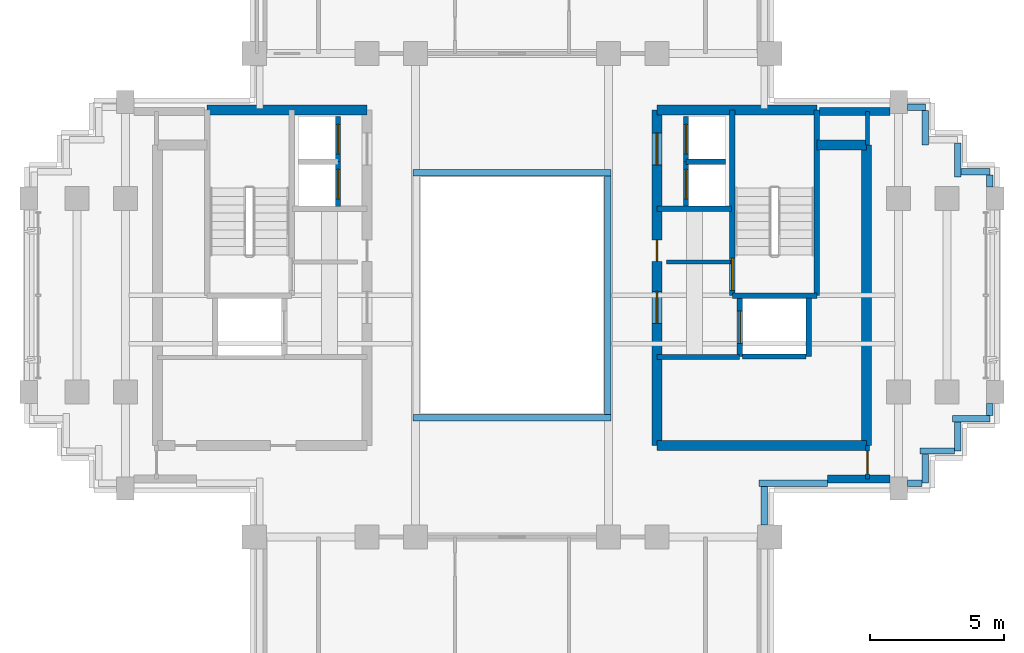
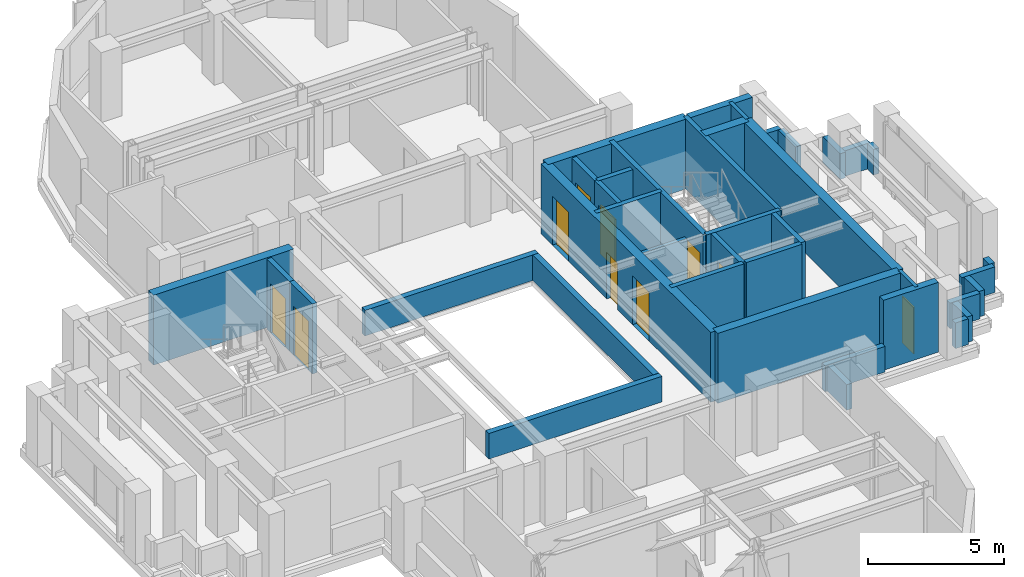
# One storey, part 7 of 11: 40 walls, 10 doors, 10 openings.
"""IFC4 building model written with IfcOpenShell, lengths in metres."""

import ifcopenshell
import ifcopenshell.guid

model = None  # the IFC model being written
_history = None  # IfcOwnerHistory: only IFC2X3 demands one
_inside = {}  # id of a spatial element -> (the spatial element, [elements in it])
_under = {}  # id of a project, library or spatial element -> (it, [spatial elements below it])
_declared = {}  # id of a project -> (the project, [libraries it declares])
_typed = {}  # id of a type object -> (the type object, [elements of that type])
_made_of = {}  # id of a material, layer set ... -> (it, [elements and type objects made of it])


def new_model(schema):
    """Start an empty IFC model of exactly this schema.

    Asked for "IFC4X3", IfcOpenShell would pick the latest addendum, in which some entities
    have other attributes; the version numbers below select the first issue.
    IFC2X3 requires an IfcOwnerHistory on every rooted entity: one is made here for all.
    """
    global model, _history
    if schema == "IFC4X3":
        model = ifcopenshell.file(schema_version=(4, 3, 0, 0))
    else:
        model = ifcopenshell.file(schema=schema)
    _inside.clear()
    _under.clear()
    _declared.clear()
    _typed.clear()
    _made_of.clear()
    _history = None
    if model.schema == "IFC2X3":
        org = make("IfcOrganization", Name="unknown")
        user = make(
            "IfcPersonAndOrganization",
            ThePerson=make("IfcPerson", FamilyName="unknown"),
            TheOrganization=org,
        )
        app = make(
            "IfcApplication",
            ApplicationDeveloper=org,
            Version="unknown",
            ApplicationFullName="unknown",
            ApplicationIdentifier="unknown",
        )
        _history = make(
            "IfcOwnerHistory",
            OwningUser=user,
            OwningApplication=app,
            ChangeAction="ADDED",
            CreationDate=0,
        )
    return model


def make(cls, **values):
    """One entity of the class cls with the attributes given. An attribute that is None is left unset."""
    return model.create_entity(
        cls, **{name: value for name, value in values.items() if value is not None}
    )


def rooted(cls, **values):
    """An entity with a GlobalId (a new one), such as an element, a storey or a relation."""
    return make(cls, GlobalId=ifcopenshell.guid.new(), OwnerHistory=_history, **values)


def si_unit(unit_type, name, prefix=None):
    """IfcSIUnit, for example si_unit("LENGTHUNIT", "METRE", prefix="MILLI")."""
    return make("IfcSIUnit", UnitType=unit_type, Prefix=prefix, Name=name)


def assignment(units):
    """IfcUnitAssignment: the units of a project."""
    return None if units is None else make("IfcUnitAssignment", Units=units)


def point(xyz):
    """IfcCartesianPoint."""
    return None if xyz is None else make("IfcCartesianPoint", Coordinates=xyz)


def direction(xyz):
    """IfcDirection."""
    return None if xyz is None else make("IfcDirection", DirectionRatios=xyz)


def frame(location, z_axis=None, x_axis=None):
    """IfcAxis2Placement3D, a coordinate frame: its origin and axes. An axis left out is left unset."""
    return make(
        "IfcAxis2Placement3D",
        Location=point(location),
        Axis=direction(z_axis),
        RefDirection=direction(x_axis),
    )


def frame_2d(location, x_axis=None):
    """IfcAxis2Placement2D, a coordinate frame in the plane: its origin and x axis."""
    return make(
        "IfcAxis2Placement2D", Location=point(location), RefDirection=direction(x_axis)
    )


def origin():
    """The frame at (0, 0, 0) with its axes left unset."""
    return frame((0.0, 0.0, 0.0))


def place(relative_to, where):
    """IfcLocalPlacement: puts the frame where relative to a parent placement (None: the world)."""
    return make(
        "IfcLocalPlacement", PlacementRelTo=relative_to, RelativePlacement=where
    )


def context(
    kind, dimensions, precision=None, world=None, true_north=None, identifier=None
):
    """IfcGeometricRepresentationContext, for example the 3D "Model" context."""
    return make(
        "IfcGeometricRepresentationContext",
        ContextIdentifier=identifier,
        ContextType=kind,
        CoordinateSpaceDimension=dimensions,
        Precision=precision,
        WorldCoordinateSystem=world,
        TrueNorth=true_north,
    )


def subcontext(parent, identifier, kind, view, scale=None):
    """IfcGeometricRepresentationSubContext, for example "Body" below "Model"."""
    return make(
        "IfcGeometricRepresentationSubContext",
        ContextIdentifier=identifier,
        ContextType=kind,
        ParentContext=parent,
        TargetScale=scale,
        TargetView=view,
    )


def project(units=None, contexts=None):
    """IfcProject with its units and contexts."""
    return rooted(
        "IfcProject",
        Name="project",
        RepresentationContexts=contexts,
        UnitsInContext=assignment(units),
    )


def spatial(cls, under=None, at=None, **own):
    """A site, building, storey or space (cls), placed at a placement, below another one or the project."""
    s = rooted(cls, ObjectPlacement=at, **own)
    if under is not None:
        _under.setdefault(under.id(), (under, []))[1].append(s)
    return s


def profile(cls, at=None, kind="AREA", **sizes):
    """A parametric profile (cls). Its sizes go by their IFC names, for example OverallWidth=200.0."""
    return make(cls, ProfileType=kind, Position=at, **sizes)


def rectangle(**sizes):
    """IfcRectangleProfileDef."""
    return profile("IfcRectangleProfileDef", **sizes)


def extrude(swept, where, along, depth):
    """IfcExtrudedAreaSolid: the profile swept, set in the frame where, extruded along a direction by depth."""
    return make(
        "IfcExtrudedAreaSolid",
        SweptArea=swept,
        Position=where,
        ExtrudedDirection=direction(along),
        Depth=depth,
    )


def shape(context_of_items, identifier, shape_type, items):
    """IfcShapeRepresentation: the items that make up one representation, for example the "Body"."""
    return make(
        "IfcShapeRepresentation",
        ContextOfItems=context_of_items,
        RepresentationIdentifier=identifier,
        RepresentationType=shape_type,
        Items=items,
    )


def source(mapping_origin, context_of_items, identifier, shape_type, items):
    """IfcRepresentationMap: a shape defined once, which mapped items show again and again."""
    return make(
        "IfcRepresentationMap",
        MappingOrigin=mapping_origin,
        MappedRepresentation=shape(context_of_items, identifier, shape_type, items),
    )


def transform(
    local_origin,
    x_axis=None,
    y_axis=None,
    z_axis=None,
    scale=None,
    scale2=None,
    scale3=None,
    uniform=True,
):
    """IfcCartesianTransformationOperator3D, or its non-uniform kind. x_axis, y_axis, z_axis: its Axis1, 2, 3."""
    if uniform:
        return make(
            "IfcCartesianTransformationOperator3D",
            Axis1=direction(x_axis),
            Axis2=direction(y_axis),
            LocalOrigin=point(local_origin),
            Scale=scale,
            Axis3=direction(z_axis),
        )
    return make(
        "IfcCartesianTransformationOperator3DnonUniform",
        Axis1=direction(x_axis),
        Axis2=direction(y_axis),
        LocalOrigin=point(local_origin),
        Scale=scale,
        Axis3=direction(z_axis),
        Scale2=scale2,
        Scale3=scale3,
    )


def mapped(mapping_source, mapping_target):
    """IfcMappedItem: shows the shape of a source again, moved by a transform."""
    return make(
        "IfcMappedItem", MappingSource=mapping_source, MappingTarget=mapping_target
    )


def material(Name=None, Category=None):
    """IfcMaterial."""
    return make("IfcMaterial", Name=Name, Category=Category)


def layer(
    of_material, thickness, ventilated=None, Name=None, Category=None, Priority=None
):
    """IfcMaterialLayer: one layer of a wall or slab, of a material (None: an air gap)."""
    return make(
        "IfcMaterialLayer",
        Material=of_material,
        LayerThickness=thickness,
        IsVentilated=ventilated,
        Name=Name,
        Category=Category,
        Priority=Priority,
    )


def layer_set(layers, Name=None):
    """IfcMaterialLayerSet."""
    return make("IfcMaterialLayerSet", MaterialLayers=layers, LayerSetName=Name)


def made_of(thing, what):
    """Note that an element or type object is made of a material, layer set ...; save() writes the relation."""
    if what is not None:
        _made_of.setdefault(what.id(), (what, []))[1].append(thing)
    return thing


def type_object(cls, material=None, **own):
    """A type object (cls), such as IfcWallType, which elements share."""
    return made_of(rooted(cls, **own), material)


def element(
    cls,
    number,
    at=None,
    inside=None,
    cuts=None,
    type_object=None,
    material=None,
    context=None,
    identifier="Body",
    shape_type=None,
    held_by="IfcProductDefinitionShape",
    body=None,
    shapes=None,
    **own,
):
    """One element of the class cls, such as IfcWall. Its Tag is "e" and its number.

    at: its placement. inside: the storey or other place that contains it. cuts: it is an
    opening in that element (IfcRelVoidsElement). A single representation is given by context,
    identifier, shape_type and body (its items); several are given by shapes. held_by: the class
    of the entity that holds the representations. save() writes the other relations.
    """
    e = rooted(cls, Tag="e%d" % number, ObjectPlacement=at, **own)
    if body is not None:
        shapes = [shape(context, identifier, shape_type, body)]
    if shapes is not None:
        e.Representation = make(held_by, Representations=shapes)
    if inside is not None:
        _inside.setdefault(inside.id(), (inside, []))[1].append(e)
    if cuts is not None:
        rooted(
            "IfcRelVoidsElement", RelatingBuildingElement=cuts, RelatedOpeningElement=e
        )
    if type_object is not None:
        _typed.setdefault(type_object.id(), (type_object, []))[1].append(e)
    return made_of(e, material)


def fill(opening, filler):
    """IfcRelFillsElement: the door or window that sits in an opening."""
    return rooted(
        "IfcRelFillsElement",
        RelatingOpeningElement=opening,
        RelatedBuildingElement=filler,
    )


def aggregate(whole, parts):
    """IfcRelAggregates: a whole, such as a stair, and the parts it consists of."""
    return rooted("IfcRelAggregates", RelatingObject=whole, RelatedObjects=parts)


def save(model, path):
    """Write the relations noted so far, then the file.

    IfcRelAggregates (storeys below a building ...), IfcRelContainedInSpatialStructure (elements
    in a storey), IfcRelDefinesByType, IfcRelAssociatesMaterial and IfcRelDeclares: one each for
    every whole, place, type object, material and project.
    """
    for whole, parts in _under.values():
        aggregate(whole, parts)
    for where, things in _inside.values():
        rooted(
            "IfcRelContainedInSpatialStructure",
            RelatedElements=things,
            RelatingStructure=where,
        )
    for kind, things in _typed.values():
        rooted("IfcRelDefinesByType", RelatedObjects=things, RelatingType=kind)
    for what, things in _made_of.values():
        rooted("IfcRelAssociatesMaterial", RelatedObjects=things, RelatingMaterial=what)
    for by, libraries in _declared.values():
        rooted("IfcRelDeclares", RelatingContext=by, RelatedDefinitions=libraries)
    model.write(path)


model = new_model("IFC4")

# Units and contexts
model_context = context("Model", 3, precision=1e-05, world=origin(), true_north=direction((0.0, 1.0)))
body_context = subcontext(model_context, "Body", "Model", "MODEL_VIEW")
ifc_project = project(units=[si_unit("LENGTHUNIT", "METRE"), si_unit("AREAUNIT", "SQUARE_METRE"), si_unit("VOLUMEUNIT", "CUBIC_METRE"), si_unit("PLANEANGLEUNIT", "RADIAN"), si_unit("MASSUNIT", "GRAM", prefix="KILO")], contexts=[model_context])

# Site, building, storey
site_placement = place(None, origin())
site = spatial("IfcSite", under=ifc_project, at=site_placement, CompositionType="ELEMENT")
building_placement = place(site_placement, origin())
building = spatial("IfcBuilding", under=site, at=building_placement, Name="Keilestroom Media Tower", CompositionType="ELEMENT")
storey_placement = place(building_placement, frame((0.0, 0.0, 211.39990234375)))
storey = spatial("IfcBuildingStorey", under=building, at=storey_placement, Name="L58", CompositionType="ELEMENT", Elevation=211.39990234375)

# Walls
ifc_material_1 = material(Name="Precast concrete C40/50", Category="concrete")
ifc_layer_1 = layer(ifc_material_1, 0.300048828125)
ifc_layer_set_1 = layer_set([ifc_layer_1], Name="Precast concrete C40/50")
wall_type_1 = type_object("IfcWallType", Name="Exterior-Masonry-Spandrel-Wall-300", PredefinedType="SOLIDWALL", material=ifc_layer_set_1)
wall_1_placement = place(storey_placement, frame((11.447998046875, 6.85009765625, 0.0), z_axis=(0.0, 0.0, 1.0), x_axis=(1.0, 0.0, 0.0)))
element("IfcWall", 1, at=wall_1_placement, inside=storey, type_object=wall_type_1, Name="L58 Flank Masonry Wall EWL-L58-NE-1", PredefinedType="SOLIDWALL", context=body_context, shape_type="SweptSolid", body=[
    extrude(rectangle(XDim=2.635009765625, YDim=0.300048828125, at=frame_2d((1.3173828125, 0.0))), origin(), (0.0, 0.0, 1.0), 3.14013671875),
])
wall_2_placement = place(storey_placement, frame((11.75, -6.85009765625, 0.0), z_axis=(0.0, 0.0, 1.0), x_axis=(1.0, 0.0, 0.0)))
element("IfcWall", 2, at=wall_2_placement, inside=storey, type_object=wall_type_1, Name="L58 Flank Masonry Wall EWL-L58-SE-1", PredefinedType="SOLIDWALL", context=body_context, shape_type="SweptSolid", body=[
    extrude(rectangle(XDim=2.3330078125, YDim=0.300048828125, at=frame_2d((1.16650390625, 0.0))), origin(), (0.0, 0.0, 1.0), 3.14013671875),
])
ifc_material_2 = material(Name="Gypsum Plasterboard & Steel Stud", Category="steel")
ifc_layer_2 = layer(ifc_material_2, 0.14990234375)
ifc_layer_set_2 = layer_set([ifc_layer_2], Name="Gypsum Plasterboard & Steel Stud")
wall_type_2 = type_object("IfcWallType", Name="Interior-Partition-Wall-150", PredefinedType="PARTITIONING", material=ifc_layer_set_2)
wall_3_placement = place(storey_placement, frame((5.75, 1.239990234375, 0.0), z_axis=(0.0, 0.0, 1.0), x_axis=(1.0, 0.0, 0.0)))
element("IfcWall", 3, at=wall_3_placement, inside=storey, type_object=wall_type_2, Name="L58 Interior Wall WP-L58-FFE-TOP", PredefinedType="PARTITIONING", context=body_context, shape_type="SweptSolid", body=[
    extrude(rectangle(XDim=2.389892578125, YDim=0.14990234375, at=frame_2d((1.19482421875, 0.0))), origin(), (0.0, 0.0, 1.0), 2.239990234375),
])
wall_4_placement = place(storey_placement, frame((13.239990234375, 5.60009765625, 0.0), z_axis=(0.0, 0.0, 1.0), x_axis=(0.0, 1.0, 0.0)))
element("IfcWall", 4, at=wall_4_placement, inside=storey, type_object=wall_type_2, Name="L58 Interior Wall WP-L58-RPAR-ENTN", PredefinedType="PARTITIONING", context=body_context, shape_type="SweptSolid", body=[
    extrude(rectangle(XDim=1.25, YDim=0.14990234375, at=frame_2d((0.625, 0.0))), origin(), (0.0, 0.0, 1.0), 3.14013671875),
])

# Wall, opening, door
wall_5_placement = place(storey_placement, frame((13.239990234375, -6.85009765625, 0.0), z_axis=(0.0, 0.0, 1.0), x_axis=(0.0, 1.0, 0.0)))
wall_5 = element("IfcWall", 5, at=wall_5_placement, inside=storey, type_object=wall_type_2, Name="L58 Interior Wall WP-L58-RPAR-ENTS", PredefinedType="PARTITIONING", context=body_context, shape_type="SweptSolid", body=[
    extrude(rectangle(XDim=1.25, YDim=0.14990234375, at=frame_2d((0.625, 0.0))), origin(), (0.0, 0.0, 1.0), 3.14013671875),
])
opening_1_placement = place(wall_5_placement, frame((0.199951171875, 0.0, 0.0)))
opening_1 = element("IfcOpeningElement", 6, at=opening_1_placement, cuts=wall_5, Name="Opening DI-05", PredefinedType="OPENING", context=body_context, shape_type="SweptSolid", body=[
    extrude(rectangle(XDim=0.85009765625, YDim=2.10009765625, at=frame_2d((0.425048828125, 1.050048828125))), frame((0.0, 0.0849609375, 0.0), z_axis=(0.0, -1.0, 0.0), x_axis=(1.0, 0.0, 0.0)), (0.0, 0.0, 1.0), 0.169921875),
])
ifc_material_3 = material(Name="Moisture-Resistant Oak Leaf", Category="wood")
door_type_1 = type_object("IfcDoorType", Name="Interior-En-Suite-And-Cupboard-Door-DI-05", OperationType="NOTDEFINED", PredefinedType="DOOR", material=ifc_material_3)
shared_shape_1 = source(origin(), body_context, "Body", "SweptSolid", [
    extrude(rectangle(XDim=0.85009765625, YDim=2.10009765625, at=frame_2d((0.425048828125, 1.050048828125))), frame((0.0, 0.02490234375, 0.0), z_axis=(0.0, -1.0, 0.0), x_axis=(1.0, 0.0, 0.0)), (0.0, 0.0, 1.0), 0.050048828125),
])
door_1_placement = place(opening_1_placement, origin())
door_1 = element("IfcDoor", 7, at=door_1_placement, inside=storey, type_object=door_type_1, Name="L58 Interior Door DI-L58-DRPAR-E", OperationType="SINGLE_SWING_LEFT", OverallHeight=2.10009765625, OverallWidth=0.85009765625, PredefinedType="DOOR", context=body_context, shape_type="MappedRepresentation", body=[
    mapped(shared_shape_1, transform((0.0, 0.0, 0.0), x_axis=(1.0, 0.0, 0.0), y_axis=(0.0, 1.0, 0.0), z_axis=(0.0, 0.0, 1.0), scale=1.0)),
])
fill(opening_1, door_1)

# Walls
ifc_material_4 = material(Name="Concrete C55/67", Category="concrete")
ifc_layer_3 = layer(ifc_material_4, 0.3798828125)
ifc_layer_set_3 = layer_set([ifc_layer_3], Name="Concrete C55/67")
wall_type_3 = type_object("IfcWallType", Name="Reinforced-Concrete-Core-Shear-Wall-380", PredefinedType="SHEAR", material=ifc_layer_set_3)
wall_6_placement = place(storey_placement, frame((-11.35595703125, 6.89990234375, 0.0), z_axis=(0.0, 0.0, 1.0), x_axis=(1.0, 0.0, 0.0)))
element("IfcWall", 8, at=wall_6_placement, inside=storey, type_object=wall_type_3, Name="L58 Core Shear Wall WL-L58-CORE-W-N", PredefinedType="SHEAR", context=body_context, shape_type="SweptSolid", body=[
    extrude(rectangle(XDim=5.9560546875, YDim=0.3798828125, at=frame_2d((2.97802734375, 0.0))), origin(), (0.0, 0.0, 1.0), 3.14013671875),
])
wall_7_placement = place(storey_placement, frame((13.199951171875, -5.60009765625, 0.0), z_axis=(0.0, 0.0, 1.0), x_axis=(0.0, 1.0, 0.0)))
element("IfcWall", 9, at=wall_7_placement, inside=storey, type_object=wall_type_3, Name="L58 Core Shear Wall WL-L58-CORE-E-OUT", PredefinedType="SHEAR", context=body_context, shape_type="SweptSolid", body=[
    extrude(rectangle(XDim=11.2001953125, YDim=0.3798828125, at=frame_2d((5.60009765625, 0.0))), origin(), (0.0, 0.0, 1.0), 3.14013671875),
])

# Wall, openings, doors
wall_8_placement = place(storey_placement, frame((5.39990234375, -5.60009765625, 0.0), z_axis=(0.0, 0.0, 1.0), x_axis=(0.0, 1.0, 0.0)))
wall_8 = element("IfcWall", 10, at=wall_8_placement, inside=storey, type_object=wall_type_3, Name="L58 Core Shear Wall WL-L58-CORE-E-IN", PredefinedType="SHEAR", context=body_context, shape_type="SweptSolid", body=[
    extrude(rectangle(XDim=12.5, YDim=0.3798828125, at=frame_2d((6.25, 0.0))), origin(), (0.0, 0.0, 1.0), 3.14013671875),
])
opening_2_placement = place(wall_8_placement, frame((4.550048828125, 0.0, 0.0)))
opening_2 = element("IfcOpeningElement", 11, at=opening_2_placement, cuts=wall_8, Name="Opening DI-02", PredefinedType="OPENING", context=body_context, shape_type="SweptSolid", body=[
    extrude(rectangle(XDim=1.199951171875, YDim=2.199951171875, at=frame_2d((0.60009765625, 1.10009765625))), frame((0.0, 0.199951171875, 0.0), z_axis=(0.0, -1.0, 0.0), x_axis=(1.0, 0.0, 0.0)), (0.0, 0.0, 1.0), 0.39990234375),
])
opening_3_placement = place(wall_8_placement, frame((10.449951171875, 0.0, 0.0)))
opening_3 = element("IfcOpeningElement", 12, at=opening_3_placement, cuts=wall_8, Name="Opening DI-02", PredefinedType="OPENING", context=body_context, shape_type="SweptSolid", body=[
    extrude(rectangle(XDim=1.199951171875, YDim=2.199951171875, at=frame_2d((0.60009765625, 1.10009765625))), frame((0.0, 0.199951171875, 0.0), z_axis=(0.0, -1.0, 0.0), x_axis=(1.0, 0.0, 0.0)), (0.0, 0.0, 1.0), 0.39990234375),
])
opening_4_placement = place(wall_8_placement, frame((6.860107421875, 0.0, 0.0)))
opening_4 = element("IfcOpeningElement", 13, at=opening_4_placement, cuts=wall_8, Name="Opening DI-06", PredefinedType="OPENING", context=body_context, shape_type="SweptSolid", body=[
    extrude(rectangle(XDim=0.800048828125, YDim=2.10009765625, at=frame_2d((0.39990234375, 1.050048828125))), frame((0.0, 0.199951171875, 0.0), z_axis=(0.0, -1.0, 0.0), x_axis=(1.0, 0.0, 0.0)), (0.0, 0.0, 1.0), 0.39990234375),
])
ifc_material_5 = material(Name="Powder-Coated Steel Fire Leaf", Category="steel")
door_type_2 = type_object("IfcDoorType", Name="Interior-Compartment-Fire-Door-DI-02", OperationType="NOTDEFINED", PredefinedType="DOOR", material=ifc_material_5)
shared_shape_2 = source(origin(), body_context, "Body", "SweptSolid", [
    extrude(rectangle(XDim=1.199951171875, YDim=2.199951171875, at=frame_2d((0.60009765625, 1.10009765625))), frame((0.0, 0.02490234375, 0.0), z_axis=(0.0, -1.0, 0.0), x_axis=(1.0, 0.0, 0.0)), (0.0, 0.0, 1.0), 0.050048828125),
])
door_2_placement = place(opening_2_placement, origin())
door_2 = element("IfcDoor", 14, at=door_2_placement, inside=storey, type_object=door_type_2, Name="L58 E Firefighting Lobby Door", OperationType="SINGLE_SWING_LEFT", OverallHeight=2.199951171875, OverallWidth=1.199951171875, PredefinedType="DOOR", context=body_context, shape_type="MappedRepresentation", body=[
    mapped(shared_shape_2, transform((0.0, 0.0, 0.0), x_axis=(1.0, 0.0, 0.0), y_axis=(0.0, 1.0, 0.0), z_axis=(0.0, 0.0, 1.0), scale=1.0)),
])
fill(opening_2, door_2)
door_3_placement = place(opening_3_placement, origin())
door_3 = element("IfcDoor", 15, at=door_3_placement, inside=storey, type_object=door_type_2, Name="L58 E High-Rise Lift Lobby Door", OperationType="SINGLE_SWING_RIGHT", OverallHeight=2.199951171875, OverallWidth=1.199951171875, PredefinedType="DOOR", context=body_context, shape_type="MappedRepresentation", body=[
    mapped(shared_shape_2, transform((0.0, 0.0, 0.0), x_axis=(1.0, 0.0, 0.0), y_axis=(0.0, 1.0, 0.0), z_axis=(0.0, 0.0, 1.0), scale=1.0)),
])
fill(opening_3, door_3)
ifc_material_6 = material(Name="Powder-Coated Steel Service Leaf", Category="steel")
door_type_3 = type_object("IfcDoorType", Name="Interior-Riser-Access-Door-DI-06", OperationType="NOTDEFINED", PredefinedType="DOOR", material=ifc_material_6)
shared_shape_3 = source(origin(), body_context, "Body", "SweptSolid", [
    extrude(rectangle(XDim=0.800048828125, YDim=2.10009765625, at=frame_2d((0.39990234375, 1.050048828125))), frame((0.0, 0.02490234375, 0.0), z_axis=(0.0, -1.0, 0.0), x_axis=(1.0, 0.0, 0.0)), (0.0, 0.0, 1.0), 0.050048828125),
])
door_4_placement = place(opening_4_placement, origin())
door_4 = element("IfcDoor", 16, at=door_4_placement, inside=storey, type_object=door_type_3, Name="L58 East Core Telecom Door", OperationType="SINGLE_SWING_RIGHT", OverallHeight=2.10009765625, OverallWidth=0.800048828125, PredefinedType="DOOR", context=body_context, shape_type="MappedRepresentation", body=[
    mapped(shared_shape_3, transform((0.0, 0.0, 0.0), x_axis=(1.0, 0.0, 0.0), y_axis=(0.0, 1.0, 0.0), z_axis=(0.0, 0.0, 1.0), scale=1.0)),
])
fill(opening_4, door_4)

# Walls
wall_9_placement = place(storey_placement, frame((5.39990234375, 6.89990234375, 0.0), z_axis=(0.0, 0.0, 1.0), x_axis=(1.0, 0.0, 0.0)))
element("IfcWall", 17, at=wall_9_placement, inside=storey, type_object=wall_type_3, Name="L58 Core Shear Wall WL-L58-CORE-E-N", PredefinedType="SHEAR", context=body_context, shape_type="SweptSolid", body=[
    extrude(rectangle(XDim=5.9560546875, YDim=0.3798828125, at=frame_2d((2.97802734375, 0.0))), origin(), (0.0, 0.0, 1.0), 3.14013671875),
])
wall_10_placement = place(storey_placement, frame((11.35595703125, 5.60009765625, 0.0), z_axis=(0.0, 0.0, 1.0), x_axis=(1.0, 0.0, 0.0)))
element("IfcWall", 18, at=wall_10_placement, inside=storey, type_object=wall_type_3, Name="L58 Core Shear Wall WL-L58-CNE-N", PredefinedType="SHEAR", context=body_context, shape_type="SweptSolid", body=[
    extrude(rectangle(XDim=1.843994140625, YDim=0.3798828125, at=frame_2d((0.921875, 0.0))), origin(), (0.0, 0.0, 1.0), 3.14013671875),
])
wall_11_placement = place(storey_placement, frame((5.39990234375, -5.60009765625, 0.0), z_axis=(0.0, 0.0, 1.0), x_axis=(1.0, 0.0, 0.0)))
element("IfcWall", 19, at=wall_11_placement, inside=storey, type_object=wall_type_3, Name="L58 Core Shear Wall WL-L58-CORE-E-S", PredefinedType="SHEAR", context=body_context, shape_type="SweptSolid", body=[
    extrude(rectangle(XDim=7.800048828125, YDim=0.3798828125, at=frame_2d((3.89990234375, 0.0))), origin(), (0.0, 0.0, 1.0), 3.14013671875),
])
ifc_material_7 = material(Name="Concrete C50/60", Category="concrete")
ifc_layer_4 = layer(ifc_material_7, 0.199951171875)
ifc_layer_set_4 = layer_set([ifc_layer_4], Name="Concrete C50/60")
wall_type_4 = type_object("IfcWallType", Name="Reinforced-Concrete-Shaft-Wall-200", PredefinedType="SOLIDWALL", material=ifc_layer_set_4)
wall_12_placement = place(storey_placement, frame((5.39990234375, 3.219970703125, 0.0), z_axis=(0.0, 0.0, 1.0), x_axis=(1.0, 0.0, 0.0)))
element("IfcWall", 20, at=wall_12_placement, inside=storey, type_object=wall_type_4, Name="L58 Core Shear Wall WL-L58-CORE-E-FFN", PredefinedType="SOLIDWALL", context=body_context, shape_type="SweptSolid", body=[
    extrude(rectangle(XDim=2.780029296875, YDim=0.199951171875, at=frame_2d((1.39013671875, 0.0))), origin(), (0.0, 0.0, 1.0), 3.14013671875),
])
wall_13_placement = place(storey_placement, frame((5.39990234375, -2.300048828125, 0.0), z_axis=(0.0, 0.0, 1.0), x_axis=(1.0, 0.0, 0.0)))
element("IfcWall", 21, at=wall_13_placement, inside=storey, type_object=wall_type_4, Name="L58 Core Shear Wall WL-L58-CORE-E-FFS", PredefinedType="SOLIDWALL", context=body_context, shape_type="SweptSolid", body=[
    extrude(rectangle(XDim=3.080078125, YDim=0.199951171875, at=frame_2d((1.5400390625, 0.0))), origin(), (0.0, 0.0, 1.0), 3.14013671875),
])

# Wall, opening, door
wall_14_placement = place(storey_placement, frame((8.2041015625, -0.01611328125, 0.0), z_axis=(0.0, 0.0, 1.0), x_axis=(0.0, 1.0, 0.0)))
wall_14 = element("IfcWall", 22, at=wall_14_placement, inside=storey, type_object=wall_type_4, Name="L58 Core Shear Wall WL-L58-STW-E-NEAR", PredefinedType="SOLIDWALL", context=body_context, shape_type="SweptSolid", body=[
    extrude(rectangle(XDim=6.916015625, YDim=0.199951171875, at=frame_2d((3.4580078125, 0.0))), origin(), (0.0, 0.0, 1.0), 3.14013671875),
])
opening_5_placement = place(wall_14_placement, frame((0.199951171875, 0.0, 0.0)))
opening_5 = element("IfcOpeningElement", 23, at=opening_5_placement, cuts=wall_14, Name="Opening DI-01S", PredefinedType="OPENING", context=body_context, shape_type="SweptSolid", body=[
    extrude(rectangle(XDim=1.199951171875, YDim=2.199951171875, at=frame_2d((0.60009765625, 1.10009765625))), frame((0.0, 0.10986328125, 0.0), z_axis=(0.0, -1.0, 0.0), x_axis=(1.0, 0.0, 0.0)), (0.0, 0.0, 1.0), 0.219970703125),
])
door_type_4 = type_object("IfcDoorType", Name="Interior-Stair-And-Core-Fire-Door-DI-01", OperationType="NOTDEFINED", PredefinedType="DOOR", material=ifc_material_5)
door_5_placement = place(opening_5_placement, origin())
door_5 = element("IfcDoor", 24, at=door_5_placement, inside=storey, type_object=door_type_4, Name="L58 Escape Stair ST-2 Fire Door", OperationType="SINGLE_SWING_RIGHT", OverallHeight=2.199951171875, OverallWidth=1.199951171875, PredefinedType="DOOR", context=body_context, shape_type="MappedRepresentation", body=[
    mapped(shared_shape_2, transform((0.0, 0.0, 0.0), x_axis=(1.0, 0.0, 0.0), y_axis=(0.0, 1.0, 0.0), z_axis=(0.0, 0.0, 1.0), scale=1.0)),
])
fill(opening_5, door_5)

# Walls
wall_15_placement = place(storey_placement, frame((11.35595703125, -0.01611328125, 0.0), z_axis=(0.0, 0.0, 1.0), x_axis=(0.0, 1.0, 0.0)))
element("IfcWall", 25, at=wall_15_placement, inside=storey, type_object=wall_type_4, Name="L58 Core Shear Wall WL-L58-STW-E-FAR", PredefinedType="SOLIDWALL", context=body_context, shape_type="SweptSolid", body=[
    extrude(rectangle(XDim=6.916015625, YDim=0.199951171875, at=frame_2d((3.4580078125, 0.0))), origin(), (0.0, 0.0, 1.0), 3.14013671875),
])
wall_16_placement = place(storey_placement, frame((8.2041015625, -0.01611328125, 0.0), z_axis=(0.0, 0.0, 1.0), x_axis=(1.0, 0.0, 0.0)))
element("IfcWall", 26, at=wall_16_placement, inside=storey, type_object=wall_type_4, Name="L58 Core Shear Wall WL-L58-STW-E-S", PredefinedType="SOLIDWALL", context=body_context, shape_type="SweptSolid", body=[
    extrude(rectangle(XDim=3.15185546875, YDim=0.199951171875, at=frame_2d((1.575927734375, 0.0))), origin(), (0.0, 0.0, 1.0), 3.14013671875),
])

# Wall, opening, door
wall_17_placement = place(storey_placement, frame((8.47998046875, -2.280029296875, 0.0), z_axis=(0.0, 0.0, 1.0), x_axis=(0.0, 1.0, 0.0)))
wall_17 = element("IfcWall", 27, at=wall_17_placement, inside=storey, type_object=wall_type_4, Name="L58 Core Shear Wall WL-L58-LSH-FFL-2-W", PredefinedType="SOLIDWALL", context=body_context, shape_type="SweptSolid", body=[
    extrude(rectangle(XDim=2.179931640625, YDim=0.199951171875, at=frame_2d((1.08984375, 0.0))), origin(), (0.0, 0.0, 1.0), 3.14013671875),
])
opening_6_placement = place(wall_17_placement, frame((0.489990234375, 0.0, 0.0)))
opening_6 = element("IfcOpeningElement", 28, at=opening_6_placement, cuts=wall_17, Name="Opening LD-02", PredefinedType="OPENING", context=body_context, shape_type="SweptSolid", body=[
    extrude(rectangle(XDim=1.199951171875, YDim=2.199951171875, at=frame_2d((0.60009765625, 1.10009765625))), frame((0.0, 0.10986328125, 0.0), z_axis=(0.0, -1.0, 0.0), x_axis=(1.0, 0.0, 0.0)), (0.0, 0.0, 1.0), 0.219970703125),
])
ifc_material_8 = material(Name="Brushed Stainless Steel Sliding Leaf", Category="steel")
door_type_5 = type_object("IfcDoorType", Name="Lift-Landing-Sliding-Door-LD-02", OperationType="SLIDING_TO_RIGHT", PredefinedType="DOOR", material=ifc_material_8)
door_6_placement = place(opening_6_placement, origin())
door_6 = element("IfcDoor", 29, at=door_6_placement, inside=storey, type_object=door_type_5, Name="L58 Lift FFL-2 Landing Sliding Door", OperationType="SLIDING_TO_RIGHT", OverallHeight=2.199951171875, OverallWidth=1.199951171875, PredefinedType="DOOR", context=body_context, shape_type="MappedRepresentation", body=[
    mapped(shared_shape_2, transform((0.0, 0.0, 0.0), x_axis=(1.0, 0.0, 0.0), y_axis=(0.0, 1.0, 0.0), z_axis=(0.0, 0.0, 1.0), scale=1.0)),
])
fill(opening_6, door_6)

# Walls
wall_18_placement = place(storey_placement, frame((11.050048828125, -2.280029296875, 0.0), z_axis=(0.0, 0.0, 1.0), x_axis=(0.0, 1.0, 0.0)))
element("IfcWall", 30, at=wall_18_placement, inside=storey, type_object=wall_type_4, Name="L58 Core Shear Wall WL-L58-LSH-FFL-2-E", PredefinedType="SOLIDWALL", context=body_context, shape_type="SweptSolid", body=[
    extrude(rectangle(XDim=2.179931640625, YDim=0.199951171875, at=frame_2d((1.08984375, 0.0))), origin(), (0.0, 0.0, 1.0), 3.14013671875),
])
wall_19_placement = place(storey_placement, frame((8.583984375, -2.280029296875, 0.0), z_axis=(0.0, 0.0, 1.0), x_axis=(1.0, 0.0, 0.0)))
element("IfcWall", 31, at=wall_19_placement, inside=storey, type_object=wall_type_4, Name="L58 Core Shear Wall WL-L58-LSH-FFL-2-S", PredefinedType="SOLIDWALL", context=body_context, shape_type="SweptSolid", body=[
    extrude(rectangle(XDim=2.362060546875, YDim=0.199951171875, at=frame_2d((1.18115234375, 0.0))), origin(), (0.0, 0.0, 1.0), 3.14013671875),
])

# Wall, opening, door
wall_20_placement = place(storey_placement, frame((-6.47998046875, 3.300048828125, 0.0), z_axis=(0.0, 0.0, 1.0), x_axis=(0.0, 1.0, 0.0)))
wall_20 = element("IfcWall", 32, at=wall_20_placement, inside=storey, type_object=wall_type_4, Name="L58 Core Shear Wall WL-L58-LSH-PL-H1-E", PredefinedType="SOLIDWALL", context=body_context, shape_type="SweptSolid", body=[
    extrude(rectangle(XDim=1.679931640625, YDim=0.199951171875, at=frame_2d((0.83984375, 0.0))), origin(), (0.0, 0.0, 1.0), 3.14013671875),
])
opening_7_placement = place(wall_20_placement, frame((0.2900390625, 0.0, 0.0)))
opening_7 = element("IfcOpeningElement", 33, at=opening_7_placement, cuts=wall_20, Name="Opening LD-01", PredefinedType="OPENING", context=body_context, shape_type="SweptSolid", body=[
    extrude(rectangle(XDim=1.10009765625, YDim=2.199951171875, at=frame_2d((0.550048828125, 1.10009765625))), frame((0.0, 0.10986328125, 0.0), z_axis=(0.0, -1.0, 0.0), x_axis=(1.0, 0.0, 0.0)), (0.0, 0.0, 1.0), 0.219970703125),
])
door_type_6 = type_object("IfcDoorType", Name="Lift-Landing-Sliding-Door-LD-01", OperationType="SLIDING_TO_LEFT", PredefinedType="DOOR", material=ifc_material_8)
shared_shape_4 = source(origin(), body_context, "Body", "SweptSolid", [
    extrude(rectangle(XDim=1.10009765625, YDim=2.199951171875, at=frame_2d((0.550048828125, 1.10009765625))), frame((0.0, 0.02490234375, 0.0), z_axis=(0.0, -1.0, 0.0), x_axis=(1.0, 0.0, 0.0)), (0.0, 0.0, 1.0), 0.050048828125),
])
door_7_placement = place(opening_7_placement, origin())
door_7 = element("IfcDoor", 34, at=door_7_placement, inside=storey, type_object=door_type_6, Name="L58 Lift PL-H1 Landing Sliding Door", OperationType="SLIDING_TO_LEFT", OverallHeight=2.199951171875, OverallWidth=1.10009765625, PredefinedType="DOOR", context=body_context, shape_type="MappedRepresentation", body=[
    mapped(shared_shape_4, transform((0.0, 0.0, 0.0), x_axis=(1.0, 0.0, 0.0), y_axis=(0.0, 1.0, 0.0), z_axis=(0.0, 0.0, 1.0), scale=1.0)),
])
fill(opening_7, door_7)

wall_21_placement = place(storey_placement, frame((-6.47998046875, 4.97998046875, 0.0), z_axis=(0.0, 0.0, 1.0), x_axis=(0.0, 1.0, 0.0)))
wall_21 = element("IfcWall", 35, at=wall_21_placement, inside=storey, type_object=wall_type_4, Name="L58 Core Shear Wall WL-L58-LSH-PL-H2-E", PredefinedType="SOLIDWALL", context=body_context, shape_type="SweptSolid", body=[
    extrude(rectangle(XDim=1.669921875, YDim=0.199951171875, at=frame_2d((0.8349609375, 0.0))), origin(), (0.0, 0.0, 1.0), 3.14013671875),
])
opening_8_placement = place(wall_21_placement, frame((0.284912109375, 0.0, 0.0)))
opening_8 = element("IfcOpeningElement", 36, at=opening_8_placement, cuts=wall_21, Name="Opening LD-01", PredefinedType="OPENING", context=body_context, shape_type="SweptSolid", body=[
    extrude(rectangle(XDim=1.10009765625, YDim=2.199951171875, at=frame_2d((0.550048828125, 1.10009765625))), frame((0.0, 0.10986328125, 0.0), z_axis=(0.0, -1.0, 0.0), x_axis=(1.0, 0.0, 0.0)), (0.0, 0.0, 1.0), 0.219970703125),
])
door_8_placement = place(opening_8_placement, origin())
door_8 = element("IfcDoor", 37, at=door_8_placement, inside=storey, type_object=door_type_6, Name="L58 Lift PL-H2 Landing Sliding Door", OperationType="SLIDING_TO_LEFT", OverallHeight=2.199951171875, OverallWidth=1.10009765625, PredefinedType="DOOR", context=body_context, shape_type="MappedRepresentation", body=[
    mapped(shared_shape_4, transform((0.0, 0.0, 0.0), x_axis=(1.0, 0.0, 0.0), y_axis=(0.0, 1.0, 0.0), z_axis=(0.0, 0.0, 1.0), scale=1.0)),
])
fill(opening_8, door_8)

wall_22_placement = place(storey_placement, frame((6.47998046875, 3.300048828125, 0.0), z_axis=(0.0, 0.0, 1.0), x_axis=(0.0, 1.0, 0.0)))
wall_22 = element("IfcWall", 38, at=wall_22_placement, inside=storey, type_object=wall_type_4, Name="L58 Core Shear Wall WL-L58-LSH-PL-H3-W", PredefinedType="SOLIDWALL", context=body_context, shape_type="SweptSolid", body=[
    extrude(rectangle(XDim=1.679931640625, YDim=0.199951171875, at=frame_2d((0.83984375, 0.0))), origin(), (0.0, 0.0, 1.0), 3.14013671875),
])
opening_9_placement = place(wall_22_placement, frame((0.2900390625, 0.0, 0.0)))
opening_9 = element("IfcOpeningElement", 39, at=opening_9_placement, cuts=wall_22, Name="Opening LD-01", PredefinedType="OPENING", context=body_context, shape_type="SweptSolid", body=[
    extrude(rectangle(XDim=1.10009765625, YDim=2.199951171875, at=frame_2d((0.550048828125, 1.10009765625))), frame((0.0, 0.10986328125, 0.0), z_axis=(0.0, -1.0, 0.0), x_axis=(1.0, 0.0, 0.0)), (0.0, 0.0, 1.0), 0.219970703125),
])
door_9_placement = place(opening_9_placement, origin())
door_9 = element("IfcDoor", 40, at=door_9_placement, inside=storey, type_object=door_type_6, Name="L58 Lift PL-H3 Landing Sliding Door", OperationType="SLIDING_TO_LEFT", OverallHeight=2.199951171875, OverallWidth=1.10009765625, PredefinedType="DOOR", context=body_context, shape_type="MappedRepresentation", body=[
    mapped(shared_shape_4, transform((0.0, 0.0, 0.0), x_axis=(1.0, 0.0, 0.0), y_axis=(0.0, 1.0, 0.0), z_axis=(0.0, 0.0, 1.0), scale=1.0)),
])
fill(opening_9, door_9)

# Wall
wall_23_placement = place(storey_placement, frame((6.47998046875, 4.97998046875, 0.0), z_axis=(0.0, 0.0, 1.0), x_axis=(1.0, 0.0, 0.0)))
element("IfcWall", 41, at=wall_23_placement, inside=storey, type_object=wall_type_4, Name="L58 Core Shear Wall WL-L58-LSH-PL-H3-N", PredefinedType="SOLIDWALL", context=body_context, shape_type="SweptSolid", body=[
    extrude(rectangle(XDim=1.469970703125, YDim=0.199951171875, at=frame_2d((0.73486328125, 0.0))), origin(), (0.0, 0.0, 1.0), 3.14013671875),
])

# Wall, opening, door
wall_24_placement = place(storey_placement, frame((6.47998046875, 4.97998046875, 0.0), z_axis=(0.0, 0.0, 1.0), x_axis=(0.0, 1.0, 0.0)))
wall_24 = element("IfcWall", 42, at=wall_24_placement, inside=storey, type_object=wall_type_4, Name="L58 Core Shear Wall WL-L58-LSH-PL-H4-W", PredefinedType="SOLIDWALL", context=body_context, shape_type="SweptSolid", body=[
    extrude(rectangle(XDim=1.669921875, YDim=0.199951171875, at=frame_2d((0.8349609375, 0.0))), origin(), (0.0, 0.0, 1.0), 3.14013671875),
])
opening_10_placement = place(wall_24_placement, frame((0.284912109375, 0.0, 0.0)))
opening_10 = element("IfcOpeningElement", 43, at=opening_10_placement, cuts=wall_24, Name="Opening LD-01", PredefinedType="OPENING", context=body_context, shape_type="SweptSolid", body=[
    extrude(rectangle(XDim=1.10009765625, YDim=2.199951171875, at=frame_2d((0.550048828125, 1.10009765625))), frame((0.0, 0.10986328125, 0.0), z_axis=(0.0, -1.0, 0.0), x_axis=(1.0, 0.0, 0.0)), (0.0, 0.0, 1.0), 0.219970703125),
])
door_10_placement = place(opening_10_placement, origin())
door_10 = element("IfcDoor", 44, at=door_10_placement, inside=storey, type_object=door_type_6, Name="L58 Lift PL-H4 Landing Sliding Door", OperationType="SLIDING_TO_LEFT", OverallHeight=2.199951171875, OverallWidth=1.10009765625, PredefinedType="DOOR", context=body_context, shape_type="MappedRepresentation", body=[
    mapped(shared_shape_4, transform((0.0, 0.0, 0.0), x_axis=(1.0, 0.0, 0.0), y_axis=(0.0, 1.0, 0.0), z_axis=(0.0, 0.0, 1.0), scale=1.0)),
])
fill(opening_10, door_10)

# Walls
ifc_layer_5 = layer(ifc_material_1, 0.239990234375)
ifc_layer_set_5 = layer_set([ifc_layer_5], Name="Precast concrete C40/50")
wall_type_5 = type_object("IfcWallType", Name="Roof-And-Terrace-Parapet-Wall-240", PredefinedType="PARAPET", material=ifc_layer_set_5)
wall_25_placement = place(storey_placement, frame((17.800048828125, -4.60009765625, 0.0), z_axis=(0.0, 0.0, 1.0), x_axis=(-1.0, 0.0, 0.0)))
element("IfcWall", 45, at=wall_25_placement, inside=storey, type_object=wall_type_5, Name="L58 Perimeter Edge Parapet Wall 01", PredefinedType="PARAPET", context=body_context, shape_type="SweptSolid", body=[
    extrude(rectangle(XDim=1.400146484375, YDim=0.239990234375, at=frame_2d((0.7001953125, 0.0))), origin(), (0.0, 0.0, 1.0), 1.150146484375),
])
wall_26_placement = place(storey_placement, frame((16.60009765625, -4.722900390625, 0.0), z_axis=(0.0, 0.0, 1.0), x_axis=(0.0, -1.0, 0.0)))
element("IfcWall", 46, at=wall_26_placement, inside=storey, type_object=wall_type_5, Name="L58 Perimeter Edge Parapet Wall 02", PredefinedType="PARAPET", context=body_context, shape_type="SweptSolid", body=[
    extrude(rectangle(XDim=1.0771484375, YDim=0.239990234375, at=frame_2d((0.53857421875, 0.0))), origin(), (0.0, 0.0, 1.0), 1.150146484375),
])
wall_27_placement = place(storey_placement, frame((16.47705078125, -5.800048828125, 0.0), z_axis=(0.0, 0.0, 1.0), x_axis=(-1.0, 0.0, 0.0)))
element("IfcWall", 47, at=wall_27_placement, inside=storey, type_object=wall_type_5, Name="L58 Perimeter Edge Parapet Wall 03", PredefinedType="PARAPET", context=body_context, shape_type="SweptSolid", body=[
    extrude(rectangle(XDim=1.277099609375, YDim=0.239990234375, at=frame_2d((0.638671875, 0.0))), origin(), (0.0, 0.0, 1.0), 1.150146484375),
])
wall_28_placement = place(storey_placement, frame((15.39990234375, -5.923095703125, 0.0), z_axis=(0.0, 0.0, 1.0), x_axis=(0.0, -1.0, 0.0)))
element("IfcWall", 48, at=wall_28_placement, inside=storey, type_object=wall_type_5, Name="L58 Perimeter Edge Parapet Wall 04", PredefinedType="PARAPET", context=body_context, shape_type="SweptSolid", body=[
    extrude(rectangle(XDim=1.076904296875, YDim=0.239990234375, at=frame_2d((0.53857421875, 0.0))), origin(), (0.0, 0.0, 1.0), 1.150146484375),
])
wall_29_placement = place(storey_placement, frame((15.277099609375, -7.0, 0.0), z_axis=(0.0, 0.0, 1.0), x_axis=(-1.0, 0.0, 0.0)))
element("IfcWall", 49, at=wall_29_placement, inside=storey, type_object=wall_type_5, Name="L58 Perimeter Edge Parapet Wall 05", PredefinedType="PARAPET", context=body_context, shape_type="SweptSolid", body=[
    extrude(rectangle(XDim=0.549072265625, YDim=0.239990234375, at=frame_2d((0.2744140625, 0.0))), origin(), (0.0, 0.0, 1.0), 1.150146484375),
])
wall_30_placement = place(storey_placement, frame((11.7470703125, -7.0, 0.0), z_axis=(0.0, 0.0, 1.0), x_axis=(-1.0, 0.0, 0.0)))
element("IfcWall", 50, at=wall_30_placement, inside=storey, type_object=wall_type_5, Name="L58 Perimeter Edge Parapet Wall 06", PredefinedType="PARAPET", context=body_context, shape_type="SweptSolid", body=[
    extrude(rectangle(XDim=2.547119140625, YDim=0.239990234375, at=frame_2d((1.2734375, 0.0))), origin(), (0.0, 0.0, 1.0), 1.150146484375),
])
wall_31_placement = place(storey_placement, frame((9.39990234375, -7.123046875, 0.0), z_axis=(0.0, 0.0, 1.0), x_axis=(0.0, -1.0, 0.0)))
element("IfcWall", 51, at=wall_31_placement, inside=storey, type_object=wall_type_5, Name="L58 Perimeter Edge Parapet Wall 07", PredefinedType="PARAPET", context=body_context, shape_type="SweptSolid", body=[
    extrude(rectangle(XDim=1.424072265625, YDim=0.239990234375, at=frame_2d((0.7119140625, 0.0))), origin(), (0.0, 0.0, 1.0), 1.150146484375),
])
wall_32_placement = place(storey_placement, frame((14.72802734375, 7.0, 0.0), z_axis=(0.0, 0.0, 1.0), x_axis=(1.0, 0.0, 0.0)))
element("IfcWall", 52, at=wall_32_placement, inside=storey, type_object=wall_type_5, Name="L58 Perimeter Edge Parapet Wall 30", PredefinedType="PARAPET", context=body_context, shape_type="SweptSolid", body=[
    extrude(rectangle(XDim=0.671875, YDim=0.239990234375, at=frame_2d((0.3359375, 0.0))), origin(), (0.0, 0.0, 1.0), 1.150146484375),
])
wall_33_placement = place(storey_placement, frame((15.39990234375, 6.876953125, 0.0), z_axis=(0.0, 0.0, 1.0), x_axis=(0.0, -1.0, 0.0)))
element("IfcWall", 53, at=wall_33_placement, inside=storey, type_object=wall_type_5, Name="L58 Perimeter Edge Parapet Wall 31", PredefinedType="PARAPET", context=body_context, shape_type="SweptSolid", body=[
    extrude(rectangle(XDim=1.27685546875, YDim=0.239990234375, at=frame_2d((0.638427734375, 0.0))), origin(), (0.0, 0.0, 1.0), 1.150146484375),
])
wall_34_placement = place(storey_placement, frame((16.60009765625, 5.677001953125, 0.0), z_axis=(0.0, 0.0, 1.0), x_axis=(0.0, -1.0, 0.0)))
element("IfcWall", 54, at=wall_34_placement, inside=storey, type_object=wall_type_5, Name="L58 Perimeter Edge Parapet Wall 33", PredefinedType="PARAPET", context=body_context, shape_type="SweptSolid", body=[
    extrude(rectangle(XDim=1.277099609375, YDim=0.239990234375, at=frame_2d((0.638671875, 0.0))), origin(), (0.0, 0.0, 1.0), 1.150146484375),
])
wall_35_placement = place(storey_placement, frame((16.722900390625, 4.60009765625, 0.0), z_axis=(0.0, 0.0, 1.0), x_axis=(1.0, 0.0, 0.0)))
element("IfcWall", 55, at=wall_35_placement, inside=storey, type_object=wall_type_5, Name="L58 Perimeter Edge Parapet Wall 34", PredefinedType="PARAPET", context=body_context, shape_type="SweptSolid", body=[
    extrude(rectangle(XDim=1.0771484375, YDim=0.239990234375, at=frame_2d((0.53857421875, 0.0))), origin(), (0.0, 0.0, 1.0), 1.150146484375),
])
for number, where, z_axis, x_axis, name in (
    (56, (17.800048828125, 4.47705078125, 0.0), (0.0, 0.0, 1.0), (0.0, -1.0, 0.0), "L58 Perimeter Edge Parapet Wall 35"),
    (57, (17.800048828125, -4.028076171875, 0.0), (0.0, 0.0, 1.0), (0.0, -1.0, 0.0), "L58 Perimeter Edge Parapet Wall 36"),
):
    element("IfcWall", number, at=place(storey_placement, frame(where, z_axis=z_axis, x_axis=x_axis)), inside=storey, type_object=wall_type_5, Name=name, PredefinedType="PARAPET", context=body_context, shape_type="SweptSolid", body=[
        extrude(rectangle(XDim=0.448974609375, YDim=0.239990234375, at=frame_2d((0.224609375, 0.0))), origin(), (0.0, 0.0, 1.0), 1.150146484375),
    ])
for number, where, z_axis, x_axis, name in (
    (58, (-3.679931640625, -4.56005859375, 0.0), (0.0, 0.0, 1.0), (1.0, 0.0, 0.0), "L58 Central Atrium Guard Parapet S"),
    (59, (-3.679931640625, 4.56005859375, 0.0), (0.0, 0.0, 1.0), (1.0, 0.0, 0.0), "L58 Central Atrium Guard Parapet N"),
):
    element("IfcWall", number, at=place(storey_placement, frame(where, z_axis=z_axis, x_axis=x_axis)), inside=storey, type_object=wall_type_5, Name=name, PredefinedType="PARAPET", context=body_context, shape_type="SweptSolid", body=[
        extrude(rectangle(XDim=7.35986328125, YDim=0.239990234375, at=frame_2d((3.679931640625, 0.0))), origin(), (0.0, 0.0, 1.0), 1.150146484375),
    ])
wall_36_placement = place(storey_placement, frame((3.56005859375, -4.43505859375, 0.0), z_axis=(0.0, 0.0, 1.0), x_axis=(0.0, 1.0, 0.0)))
element("IfcWall", 60, at=wall_36_placement, inside=storey, type_object=wall_type_5, Name="L58 Central Atrium Guard Parapet E", PredefinedType="PARAPET", context=body_context, shape_type="SweptSolid", body=[
    extrude(rectangle(XDim=8.8701171875, YDim=0.239990234375, at=frame_2d((4.43505859375, 0.0))), origin(), (0.0, 0.0, 1.0), 1.150146484375),
])

save(model, "model.ifc")
